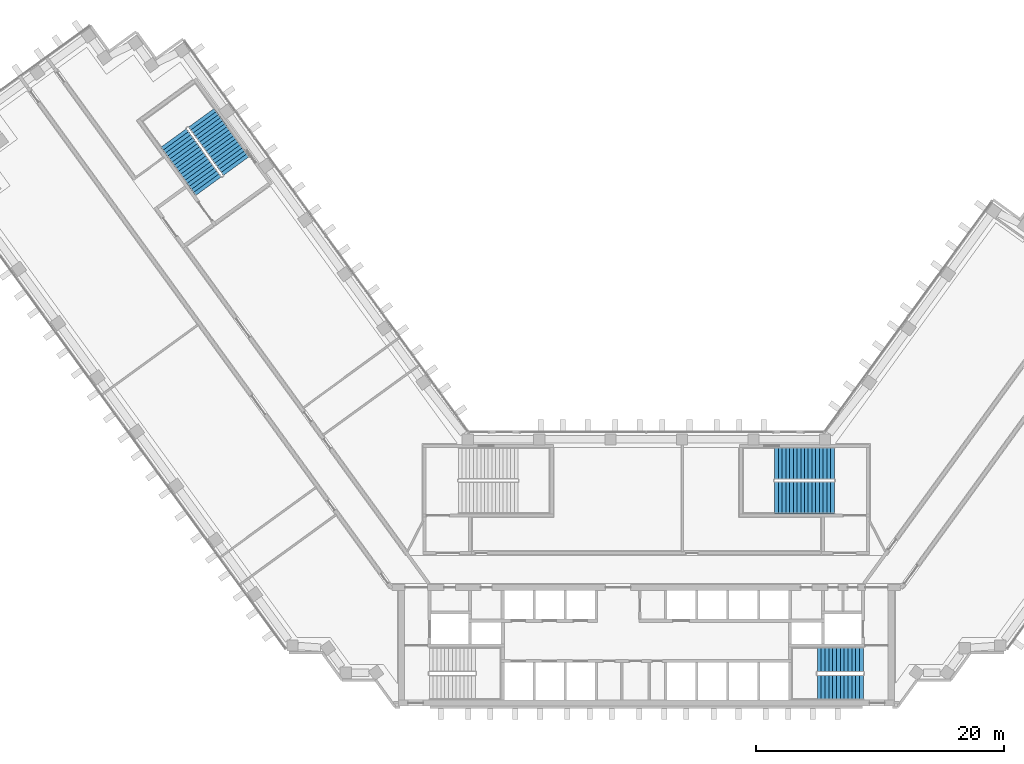
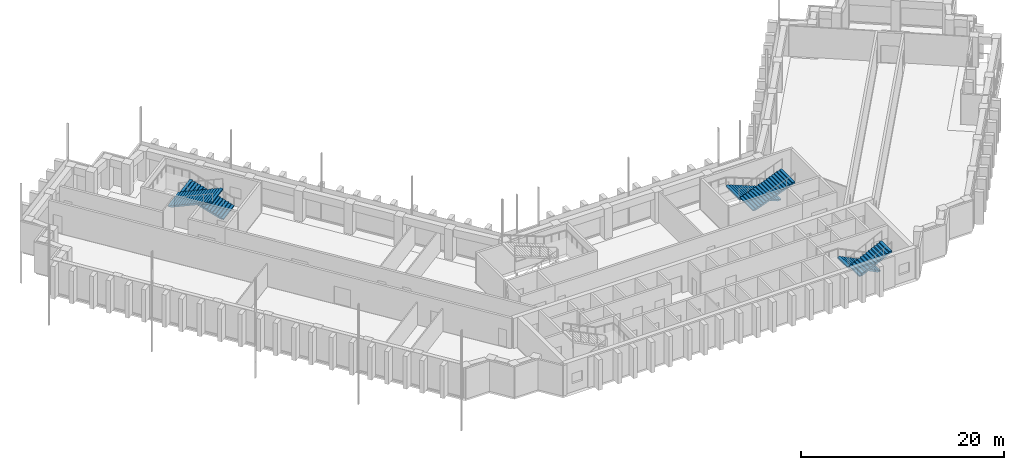
# One storey, part 14 of 16: 6 stair flights, 3 elements without a shape of their own.
"""IFC4 building model written with IfcOpenShell, lengths in metres."""

from ifc_helpers import new_model, si_unit, direction, frame, origin, place, context, subcontext, project, spatial, polyline, outline, extrude, material, type_object, element, aggregate, save


model = new_model("IFC4")

# Units and contexts
model_context = context("Model", 3, precision=1e-05, world=origin(), true_north=direction((0.0, 1.0)))
body_context = subcontext(model_context, "Body", "Model", "MODEL_VIEW")
ifc_project = project(units=[si_unit("LENGTHUNIT", "METRE"), si_unit("AREAUNIT", "SQUARE_METRE"), si_unit("VOLUMEUNIT", "CUBIC_METRE"), si_unit("PLANEANGLEUNIT", "RADIAN"), si_unit("MASSUNIT", "GRAM", prefix="KILO")], contexts=[model_context])

# Site, building, storey
site_placement = place(None, origin())
site = spatial("IfcSite", under=ifc_project, at=site_placement, CompositionType="ELEMENT")
building_placement = place(site_placement, origin())
building = spatial("IfcBuilding", under=site, at=building_placement, Name="Quipu Civic Tower", CompositionType="ELEMENT")
storey_placement = place(building_placement, frame((0.0, 0.0, 89.0)))
storey = spatial("IfcBuildingStorey", under=building, at=storey_placement, Name="L20", CompositionType="ELEMENT", Elevation=89.0)

# Stair, stair flights
ifc_material_1 = material(Name="Concrete C40/50", Category="concrete")
stair_type_1 = type_object("IfcStairType", Name="Half turn stair 2000", PredefinedType="HALF_TURN_STAIR", material=ifc_material_1)
stair_1_placement = place(storey_placement, origin())
stair_1 = element("IfcStair", 1, at=stair_1_placement, inside=storey, type_object=stair_type_1, Name="Exit stair 2", PredefinedType="HALF_TURN_STAIR")
ifc_material_2 = material(Name="Concrete C40/50", Category="concrete")
stair_flight_type_1 = type_object("IfcStairFlightType", Name="Stair flight 2000", PredefinedType="STRAIGHT", material=ifc_material_2)
stair_flight_1_placement = place(storey_placement, frame((17.5, -7.25, 0.0), z_axis=(0.0, 0.0, 1.0), x_axis=(-1.0, 0.0, 0.0)))
stair_flight_1 = element("IfcStairFlight", 2, at=stair_flight_1_placement, type_object=stair_flight_type_1, Name="ST-2 flight 1", NumberOfRisers=13, NumberOfTreads=12, PredefinedType="STRAIGHT", RiserHeight=0.153846154, TreadLength=0.31, context=body_context, shape_type="SweptSolid", body=[
    extrude(outline(polyline([(0.0, 0.0), (0.0, 0.15380859375), (0.31005859375, 0.15380859375), (0.31005859375, 0.3076171875), (0.6201171875, 0.3076171875), (0.6201171875, 0.46142578125), (0.929931640625, 0.46142578125), (0.929931640625, 0.615478515625), (1.239990234375, 0.615478515625), (1.239990234375, 0.769287109375), (1.550048828125, 0.769287109375), (1.550048828125, 0.923095703125), (1.860107421875, 0.923095703125), (1.860107421875, 1.076904296875), (2.169921875, 1.076904296875), (2.169921875, 1.230712890625), (2.47998046875, 1.230712890625), (2.47998046875, 1.384521484375), (2.7900390625, 1.384521484375), (2.7900390625, 1.53857421875), (3.10009765625, 1.53857421875), (3.10009765625, 1.6923828125), (3.409912109375, 1.6923828125), (3.409912109375, 1.84619140625), (3.719970703125, 1.84619140625), (3.719970703125, 2.0), (3.719970703125, 1.6787109375), (0.337158203125, 0.0), (0.0, 0.0)])), frame((0.0, 1.0, 0.0), z_axis=(0.0, -1.0, 0.0), x_axis=(1.0, 0.0, 0.0)), (0.0, 0.0, 1.0), 2.0),
])
stair_flight_2_placement = place(storey_placement, frame((13.780029296875, -9.5, 2.0), z_axis=(0.0, 0.0, 1.0), x_axis=(1.0, 0.0, 0.0)))
stair_flight_2 = element("IfcStairFlight", 3, at=stair_flight_2_placement, type_object=stair_flight_type_1, Name="ST-2 flight 2", NumberOfRisers=13, NumberOfTreads=12, PredefinedType="STRAIGHT", RiserHeight=0.153846154, TreadLength=0.31, context=body_context, shape_type="SweptSolid", body=[
    extrude(outline(polyline([(0.0, 0.0), (0.0, 0.15380859375), (0.31005859375, 0.15380859375), (0.31005859375, 0.3076171875), (0.6201171875, 0.3076171875), (0.6201171875, 0.46142578125), (0.929931640625, 0.46142578125), (0.929931640625, 0.615478515625), (1.239990234375, 0.615478515625), (1.239990234375, 0.769287109375), (1.550048828125, 0.769287109375), (1.550048828125, 0.923095703125), (1.860107421875, 0.923095703125), (1.860107421875, 1.076904296875), (2.169921875, 1.076904296875), (2.169921875, 1.230712890625), (2.47998046875, 1.230712890625), (2.47998046875, 1.384521484375), (2.7900390625, 1.384521484375), (2.7900390625, 1.53857421875), (3.10009765625, 1.53857421875), (3.10009765625, 1.6923828125), (3.409912109375, 1.6923828125), (3.409912109375, 1.84619140625), (3.719970703125, 1.84619140625), (3.719970703125, 2.0), (3.719970703125, 1.6787109375), (0.337158203125, 0.0), (0.0, 0.0)])), frame((0.0, 1.0, 0.0), z_axis=(0.0, -1.0, 0.0), x_axis=(1.0, 0.0, 0.0)), (0.0, 0.0, 1.0), 2.0),
])
aggregate(stair_1, [stair_flight_1, stair_flight_2])

ifc_material_3 = material(Name="Concrete C40/50", Category="concrete")
stair_type_2 = type_object("IfcStairType", Name="Half turn stair 2600", PredefinedType="HALF_TURN_STAIR", material=ifc_material_3)
stair_2_placement = place(storey_placement, origin())
stair_2 = element("IfcStair", 4, at=stair_2_placement, inside=storey, type_object=stair_type_2, Name="Exit stair 4", PredefinedType="HALF_TURN_STAIR")
ifc_material_4 = material(Name="Concrete C40/50", Category="concrete")
stair_flight_type_2 = type_object("IfcStairFlightType", Name="Stair flight 2600", PredefinedType="STRAIGHT", material=ifc_material_4)
stair_flight_3_placement = place(storey_placement, frame((15.14990234375, 8.550048828125, 0.0), z_axis=(0.0, 0.0, 1.0), x_axis=(-1.0, 0.0, 0.0)))
stair_flight_3 = element("IfcStairFlight", 5, at=stair_flight_3_placement, type_object=stair_flight_type_2, Name="ST-4 flight 1", NumberOfRisers=17, NumberOfTreads=16, PredefinedType="STRAIGHT", RiserHeight=0.117647059, TreadLength=0.3, context=body_context, shape_type="SweptSolid", body=[
    extrude(outline(polyline([(0.0, 0.0), (0.0, 0.11767578125), (0.300048828125, 0.11767578125), (0.300048828125, 0.2353515625), (0.60009765625, 0.2353515625), (0.60009765625, 0.35302734375), (0.89990234375, 0.35302734375), (0.89990234375, 0.470703125), (1.199951171875, 0.470703125), (1.199951171875, 0.588134765625), (1.5, 0.588134765625), (1.5, 0.705810546875), (1.800048828125, 0.705810546875), (1.800048828125, 0.823486328125), (2.10009765625, 0.823486328125), (2.10009765625, 0.941162109375), (2.39990234375, 0.941162109375), (2.39990234375, 1.058837890625), (2.699951171875, 1.058837890625), (2.699951171875, 1.176513671875), (3.0, 1.176513671875), (3.0, 1.294189453125), (3.300048828125, 1.294189453125), (3.300048828125, 1.411865234375), (3.60009765625, 1.411865234375), (3.60009765625, 1.529296875), (3.89990234375, 1.529296875), (3.89990234375, 1.64697265625), (4.199951171875, 1.64697265625), (4.199951171875, 1.7646484375), (4.5, 1.7646484375), (4.5, 1.88232421875), (4.800048828125, 1.88232421875), (4.800048828125, 2.0), (4.800048828125, 1.721435546875), (0.41064453125, 0.0), (0.0, 0.0)])), frame((0.0, 1.300048828125, 0.0), z_axis=(0.0, -1.0, 0.0), x_axis=(1.0, 0.0, 0.0)), (0.0, 0.0, 1.0), 2.60009765625),
])
stair_flight_4_placement = place(storey_placement, frame((10.35009765625, 5.800048828125, 2.0), z_axis=(0.0, 0.0, 1.0), x_axis=(1.0, 0.0, 0.0)))
stair_flight_4 = element("IfcStairFlight", 6, at=stair_flight_4_placement, type_object=stair_flight_type_2, Name="ST-4 flight 2", NumberOfRisers=17, NumberOfTreads=16, PredefinedType="STRAIGHT", RiserHeight=0.117647059, TreadLength=0.3, context=body_context, shape_type="SweptSolid", body=[
    extrude(outline(polyline([(0.0, 0.0), (0.0, 0.11767578125), (0.300048828125, 0.11767578125), (0.300048828125, 0.2353515625), (0.60009765625, 0.2353515625), (0.60009765625, 0.35302734375), (0.89990234375, 0.35302734375), (0.89990234375, 0.470703125), (1.199951171875, 0.470703125), (1.199951171875, 0.588134765625), (1.5, 0.588134765625), (1.5, 0.705810546875), (1.800048828125, 0.705810546875), (1.800048828125, 0.823486328125), (2.10009765625, 0.823486328125), (2.10009765625, 0.941162109375), (2.39990234375, 0.941162109375), (2.39990234375, 1.058837890625), (2.699951171875, 1.058837890625), (2.699951171875, 1.176513671875), (3.0, 1.176513671875), (3.0, 1.294189453125), (3.300048828125, 1.294189453125), (3.300048828125, 1.411865234375), (3.60009765625, 1.411865234375), (3.60009765625, 1.529296875), (3.89990234375, 1.529296875), (3.89990234375, 1.64697265625), (4.199951171875, 1.64697265625), (4.199951171875, 1.7646484375), (4.5, 1.7646484375), (4.5, 1.88232421875), (4.800048828125, 1.88232421875), (4.800048828125, 2.0), (4.800048828125, 1.721435546875), (0.41064453125, 0.0), (0.0, 0.0)])), frame((0.0, 1.300048828125, 0.0), z_axis=(0.0, -1.0, 0.0), x_axis=(1.0, 0.0, 0.0)), (0.0, 0.0, 1.0), 2.60009765625),
])
aggregate(stair_2, [stair_flight_3, stair_flight_4])

stair_3_placement = place(storey_placement, origin())
stair_3 = element("IfcStair", 7, at=stair_3_placement, inside=storey, type_object=stair_type_2, Name="Exit stair 6", PredefinedType="HALF_TURN_STAIR")
stair_flight_5_placement = place(storey_placement, frame((-33.067626953125, 32.5322265625, 0.0), z_axis=(0.0, 0.0, 1.0), x_axis=(-0.587785252292, 0.809016994375, 0.0)))
stair_flight_5 = element("IfcStairFlight", 8, at=stair_flight_5_placement, type_object=stair_flight_type_2, Name="ST-6 flight 1", NumberOfRisers=17, NumberOfTreads=16, PredefinedType="STRAIGHT", RiserHeight=0.117647059, TreadLength=0.3, context=body_context, shape_type="SweptSolid", body=[
    extrude(outline(polyline([(0.0, 0.0), (0.0, 0.11767578125), (0.300048828125, 0.11767578125), (0.300048828125, 0.2353515625), (0.60009765625, 0.2353515625), (0.60009765625, 0.35302734375), (0.89990234375, 0.35302734375), (0.89990234375, 0.470703125), (1.199951171875, 0.470703125), (1.199951171875, 0.588134765625), (1.5, 0.588134765625), (1.5, 0.705810546875), (1.800048828125, 0.705810546875), (1.800048828125, 0.823486328125), (2.10009765625, 0.823486328125), (2.10009765625, 0.941162109375), (2.39990234375, 0.941162109375), (2.39990234375, 1.058837890625), (2.699951171875, 1.058837890625), (2.699951171875, 1.176513671875), (3.0, 1.176513671875), (3.0, 1.294189453125), (3.300048828125, 1.294189453125), (3.300048828125, 1.411865234375), (3.60009765625, 1.411865234375), (3.60009765625, 1.529296875), (3.89990234375, 1.529296875), (3.89990234375, 1.64697265625), (4.199951171875, 1.64697265625), (4.199951171875, 1.7646484375), (4.5, 1.7646484375), (4.5, 1.88232421875), (4.800048828125, 1.88232421875), (4.800048828125, 2.0), (4.800048828125, 1.721435546875), (0.41064453125, 0.0), (0.0, 0.0)])), frame((0.0, 1.300048828125, 0.0), z_axis=(0.0, -1.0, 0.0), x_axis=(1.0, 0.0, 0.0)), (0.0, 0.0, 1.0), 2.60009765625),
])
stair_flight_6_placement = place(storey_placement, frame((-38.11376953125, 34.799072265625, 2.0), z_axis=(0.0, 0.0, 1.0), x_axis=(0.587785252292, -0.809016994375, 0.0)))
stair_flight_6 = element("IfcStairFlight", 9, at=stair_flight_6_placement, type_object=stair_flight_type_2, Name="ST-6 flight 2", NumberOfRisers=17, NumberOfTreads=16, PredefinedType="STRAIGHT", RiserHeight=0.117647059, TreadLength=0.3, context=body_context, shape_type="SweptSolid", body=[
    extrude(outline(polyline([(0.0, 0.0), (0.0, 0.11767578125), (0.300048828125, 0.11767578125), (0.300048828125, 0.2353515625), (0.60009765625, 0.2353515625), (0.60009765625, 0.35302734375), (0.89990234375, 0.35302734375), (0.89990234375, 0.470703125), (1.199951171875, 0.470703125), (1.199951171875, 0.588134765625), (1.5, 0.588134765625), (1.5, 0.705810546875), (1.800048828125, 0.705810546875), (1.800048828125, 0.823486328125), (2.10009765625, 0.823486328125), (2.10009765625, 0.941162109375), (2.39990234375, 0.941162109375), (2.39990234375, 1.058837890625), (2.699951171875, 1.058837890625), (2.699951171875, 1.176513671875), (3.0, 1.176513671875), (3.0, 1.294189453125), (3.300048828125, 1.294189453125), (3.300048828125, 1.411865234375), (3.60009765625, 1.411865234375), (3.60009765625, 1.529296875), (3.89990234375, 1.529296875), (3.89990234375, 1.64697265625), (4.199951171875, 1.64697265625), (4.199951171875, 1.7646484375), (4.5, 1.7646484375), (4.5, 1.88232421875), (4.800048828125, 1.88232421875), (4.800048828125, 2.0), (4.800048828125, 1.721435546875), (0.41064453125, 0.0), (0.0, 0.0)])), frame((0.0, 1.300048828125, 0.0), z_axis=(0.0, -1.0, 0.0), x_axis=(1.0, 0.0, 0.0)), (0.0, 0.0, 1.0), 2.60009765625),
])
aggregate(stair_3, [stair_flight_5, stair_flight_6])

save(model, "model.ifc")
